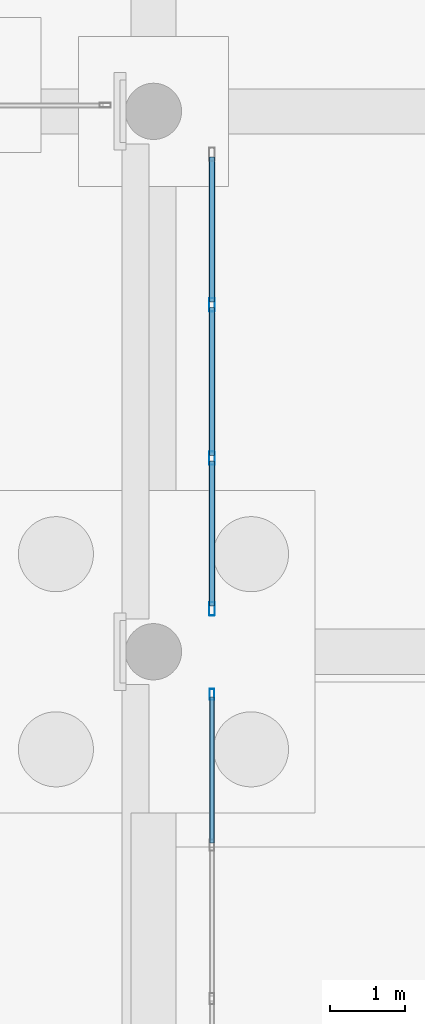
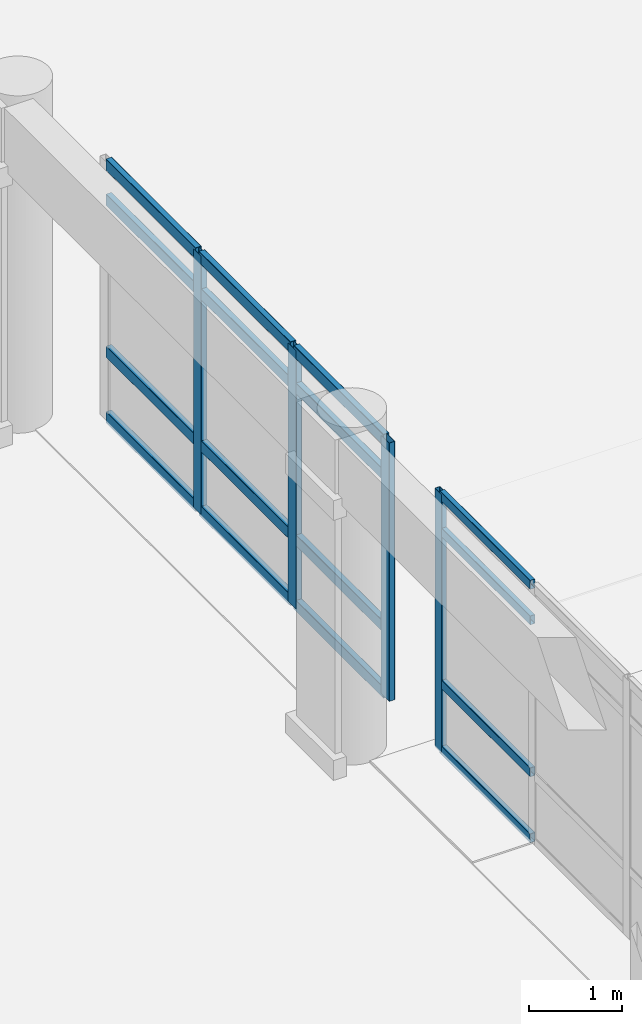
# One storey, part 80 of 196: 20 members, 2 elements without a shape of their own.
"""IFC4 building model written with IfcOpenShell, lengths in metres."""

import ifcopenshell
import ifcopenshell.guid

model = None  # the IFC model being written
_history = None  # IfcOwnerHistory: only IFC2X3 demands one
_inside = {}  # id of a spatial element -> (the spatial element, [elements in it])
_under = {}  # id of a project, library or spatial element -> (it, [spatial elements below it])
_declared = {}  # id of a project -> (the project, [libraries it declares])
_typed = {}  # id of a type object -> (the type object, [elements of that type])
_made_of = {}  # id of a material, layer set ... -> (it, [elements and type objects made of it])


def new_model(schema):
    """Start an empty IFC model of exactly this schema.

    Asked for "IFC4X3", IfcOpenShell would pick the latest addendum, in which some entities
    have other attributes; the version numbers below select the first issue.
    IFC2X3 requires an IfcOwnerHistory on every rooted entity: one is made here for all.
    """
    global model, _history
    if schema == "IFC4X3":
        model = ifcopenshell.file(schema_version=(4, 3, 0, 0))
    else:
        model = ifcopenshell.file(schema=schema)
    _inside.clear()
    _under.clear()
    _declared.clear()
    _typed.clear()
    _made_of.clear()
    _history = None
    if model.schema == "IFC2X3":
        org = make("IfcOrganization", Name="unknown")
        user = make(
            "IfcPersonAndOrganization",
            ThePerson=make("IfcPerson", FamilyName="unknown"),
            TheOrganization=org,
        )
        app = make(
            "IfcApplication",
            ApplicationDeveloper=org,
            Version="unknown",
            ApplicationFullName="unknown",
            ApplicationIdentifier="unknown",
        )
        _history = make(
            "IfcOwnerHistory",
            OwningUser=user,
            OwningApplication=app,
            ChangeAction="ADDED",
            CreationDate=0,
        )
    return model


def make(cls, **values):
    """One entity of the class cls with the attributes given. An attribute that is None is left unset."""
    return model.create_entity(
        cls, **{name: value for name, value in values.items() if value is not None}
    )


def rooted(cls, **values):
    """An entity with a GlobalId (a new one), such as an element, a storey or a relation."""
    return make(cls, GlobalId=ifcopenshell.guid.new(), OwnerHistory=_history, **values)


def si_unit(unit_type, name, prefix=None):
    """IfcSIUnit, for example si_unit("LENGTHUNIT", "METRE", prefix="MILLI")."""
    return make("IfcSIUnit", UnitType=unit_type, Prefix=prefix, Name=name)


def assignment(units):
    """IfcUnitAssignment: the units of a project."""
    return None if units is None else make("IfcUnitAssignment", Units=units)


def point(xyz):
    """IfcCartesianPoint."""
    return None if xyz is None else make("IfcCartesianPoint", Coordinates=xyz)


def direction(xyz):
    """IfcDirection."""
    return None if xyz is None else make("IfcDirection", DirectionRatios=xyz)


def frame(location, z_axis=None, x_axis=None):
    """IfcAxis2Placement3D, a coordinate frame: its origin and axes. An axis left out is left unset."""
    return make(
        "IfcAxis2Placement3D",
        Location=point(location),
        Axis=direction(z_axis),
        RefDirection=direction(x_axis),
    )


def frame_2d(location, x_axis=None):
    """IfcAxis2Placement2D, a coordinate frame in the plane: its origin and x axis."""
    return make(
        "IfcAxis2Placement2D", Location=point(location), RefDirection=direction(x_axis)
    )


def origin():
    """The frame at (0, 0, 0) with its axes left unset."""
    return frame((0.0, 0.0, 0.0))


def origin_2d():
    """The frame at (0, 0) in the plane with its x axis left unset."""
    return frame_2d((0.0, 0.0))


def place(relative_to, where):
    """IfcLocalPlacement: puts the frame where relative to a parent placement (None: the world)."""
    return make(
        "IfcLocalPlacement", PlacementRelTo=relative_to, RelativePlacement=where
    )


def context(
    kind, dimensions, precision=None, world=None, true_north=None, identifier=None
):
    """IfcGeometricRepresentationContext, for example the 3D "Model" context."""
    return make(
        "IfcGeometricRepresentationContext",
        ContextIdentifier=identifier,
        ContextType=kind,
        CoordinateSpaceDimension=dimensions,
        Precision=precision,
        WorldCoordinateSystem=world,
        TrueNorth=true_north,
    )


def subcontext(parent, identifier, kind, view, scale=None):
    """IfcGeometricRepresentationSubContext, for example "Body" below "Model"."""
    return make(
        "IfcGeometricRepresentationSubContext",
        ContextIdentifier=identifier,
        ContextType=kind,
        ParentContext=parent,
        TargetScale=scale,
        TargetView=view,
    )


def project(units=None, contexts=None):
    """IfcProject with its units and contexts."""
    return rooted(
        "IfcProject",
        Name="project",
        RepresentationContexts=contexts,
        UnitsInContext=assignment(units),
    )


def spatial(cls, under=None, at=None, **own):
    """A site, building, storey or space (cls), placed at a placement, below another one or the project."""
    s = rooted(cls, ObjectPlacement=at, **own)
    if under is not None:
        _under.setdefault(under.id(), (under, []))[1].append(s)
    return s


def profile(cls, at=None, kind="AREA", **sizes):
    """A parametric profile (cls). Its sizes go by their IFC names, for example OverallWidth=200.0."""
    return make(cls, ProfileType=kind, Position=at, **sizes)


def hollow_rectangle(**sizes):
    """IfcRectangleHollowProfileDef."""
    return profile("IfcRectangleHollowProfileDef", **sizes)


def extrude(swept, where, along, depth):
    """IfcExtrudedAreaSolid: the profile swept, set in the frame where, extruded along a direction by depth."""
    return make(
        "IfcExtrudedAreaSolid",
        SweptArea=swept,
        Position=where,
        ExtrudedDirection=direction(along),
        Depth=depth,
    )


def shape(context_of_items, identifier, shape_type, items):
    """IfcShapeRepresentation: the items that make up one representation, for example the "Body"."""
    return make(
        "IfcShapeRepresentation",
        ContextOfItems=context_of_items,
        RepresentationIdentifier=identifier,
        RepresentationType=shape_type,
        Items=items,
    )


def material(Name=None, Category=None):
    """IfcMaterial."""
    return make("IfcMaterial", Name=Name, Category=Category)


def layer(
    of_material, thickness, ventilated=None, Name=None, Category=None, Priority=None
):
    """IfcMaterialLayer: one layer of a wall or slab, of a material (None: an air gap)."""
    return make(
        "IfcMaterialLayer",
        Material=of_material,
        LayerThickness=thickness,
        IsVentilated=ventilated,
        Name=Name,
        Category=Category,
        Priority=Priority,
    )


def layer_set(layers, Name=None):
    """IfcMaterialLayerSet."""
    return make("IfcMaterialLayerSet", MaterialLayers=layers, LayerSetName=Name)


def material_profile(
    of_material, cross_section, Name=None, Category=None, Priority=None
):
    """IfcMaterialProfile: a cross section and its material."""
    return make(
        "IfcMaterialProfile",
        Name=Name,
        Material=of_material,
        Profile=cross_section,
        Priority=Priority,
        Category=Category,
    )


def profile_set(profiles, Name=None, composite=None):
    """IfcMaterialProfileSet."""
    return make(
        "IfcMaterialProfileSet",
        Name=Name,
        MaterialProfiles=profiles,
        CompositeProfile=composite,
    )


def made_of(thing, what):
    """Note that an element or type object is made of a material, layer set ...; save() writes the relation."""
    if what is not None:
        _made_of.setdefault(what.id(), (what, []))[1].append(thing)
    return thing


def type_object(cls, material=None, **own):
    """A type object (cls), such as IfcWallType, which elements share."""
    return made_of(rooted(cls, **own), material)


def element(
    cls,
    number,
    at=None,
    inside=None,
    cuts=None,
    type_object=None,
    material=None,
    context=None,
    identifier="Body",
    shape_type=None,
    held_by="IfcProductDefinitionShape",
    body=None,
    shapes=None,
    **own,
):
    """One element of the class cls, such as IfcWall. Its Tag is "e" and its number.

    at: its placement. inside: the storey or other place that contains it. cuts: it is an
    opening in that element (IfcRelVoidsElement). A single representation is given by context,
    identifier, shape_type and body (its items); several are given by shapes. held_by: the class
    of the entity that holds the representations. save() writes the other relations.
    """
    e = rooted(cls, Tag="e%d" % number, ObjectPlacement=at, **own)
    if body is not None:
        shapes = [shape(context, identifier, shape_type, body)]
    if shapes is not None:
        e.Representation = make(held_by, Representations=shapes)
    if inside is not None:
        _inside.setdefault(inside.id(), (inside, []))[1].append(e)
    if cuts is not None:
        rooted(
            "IfcRelVoidsElement", RelatingBuildingElement=cuts, RelatedOpeningElement=e
        )
    if type_object is not None:
        _typed.setdefault(type_object.id(), (type_object, []))[1].append(e)
    return made_of(e, material)


def aggregate(whole, parts):
    """IfcRelAggregates: a whole, such as a stair, and the parts it consists of."""
    return rooted("IfcRelAggregates", RelatingObject=whole, RelatedObjects=parts)


def save(model, path):
    """Write the relations noted so far, then the file.

    IfcRelAggregates (storeys below a building ...), IfcRelContainedInSpatialStructure (elements
    in a storey), IfcRelDefinesByType, IfcRelAssociatesMaterial and IfcRelDeclares: one each for
    every whole, place, type object, material and project.
    """
    for whole, parts in _under.values():
        aggregate(whole, parts)
    for where, things in _inside.values():
        rooted(
            "IfcRelContainedInSpatialStructure",
            RelatedElements=things,
            RelatingStructure=where,
        )
    for kind, things in _typed.values():
        rooted("IfcRelDefinesByType", RelatedObjects=things, RelatingType=kind)
    for what, things in _made_of.values():
        rooted("IfcRelAssociatesMaterial", RelatedObjects=things, RelatingMaterial=what)
    for by, libraries in _declared.values():
        rooted("IfcRelDeclares", RelatingContext=by, RelatedDefinitions=libraries)
    model.write(path)


model = new_model("IFC4")

# Units and contexts
model_context = context("Model", 3, precision=1e-05, world=origin(), true_north=direction((0.0, 1.0)))
body_context = subcontext(model_context, "Body", "Model", "MODEL_VIEW")
ifc_project = project(units=[si_unit("LENGTHUNIT", "METRE"), si_unit("AREAUNIT", "SQUARE_METRE"), si_unit("VOLUMEUNIT", "CUBIC_METRE"), si_unit("PLANEANGLEUNIT", "RADIAN"), si_unit("MASSUNIT", "GRAM", prefix="KILO")], contexts=[model_context])

# Site, building, storey
site_placement = place(None, origin())
site = spatial("IfcSite", under=ifc_project, at=site_placement, CompositionType="ELEMENT")
building_placement = place(site_placement, origin())
building = spatial("IfcBuilding", under=site, at=building_placement, Name="Asteropetra Specialist Clinic", CompositionType="ELEMENT")
storey_placement = place(building_placement, origin())
storey = spatial("IfcBuildingStorey", under=building, at=storey_placement, Name="L00", CompositionType="ELEMENT", Elevation=0.0)

# Curtain wall, member
ifc_material_1 = material(Name="Aluminium and low-E glass", Category="aluminium")
ifc_layer_1 = layer(ifc_material_1, 0.14990234375)
ifc_layer_set_1 = layer_set([ifc_layer_1], Name="Aluminium and low-E glass")
curtain_wall_type_1 = type_object("IfcCurtainWallType", Name="CW-SYS-11", PredefinedType="USERDEFINED", material=ifc_layer_set_1)
curtain_wall_1_placement = place(storey_placement, origin())
curtain_wall_1 = element("IfcCurtainWall", 1, at=curtain_wall_1_placement, inside=storey, type_object=curtain_wall_type_1, Name="Curtain Wall CW-202", ObjectType="STICK GLAZED COLONNADE", PredefinedType="USERDEFINED")
ifc_material_2 = material(Name="Aluminium 6063-T6", Category="aluminium")
ifc_material_profile_1 = material_profile(ifc_material_2, hollow_rectangle(XDim=0.06494140625, YDim=0.14990234375, WallThickness=0.00390625, InnerFilletRadius=0.00390625, OuterFilletRadius=0.008056640625, at=origin_2d()), Name="MUL 150x65x4.0")
ifc_profile_set_1 = profile_set([ifc_material_profile_1], Name="Aluminium 6063-T6")
member_type_1 = type_object("IfcMemberType", Name="CWM-150x65", PredefinedType="MULLION", material=ifc_profile_set_1)
member_1_placement = place(storey_placement, frame((106.3798828125, 40.232421875, 0.0), z_axis=(0.0, 0.0, 1.0), x_axis=(1.0, 0.0, 0.0)))
member_1 = element("IfcMember", 2, at=member_1_placement, type_object=member_type_1, Name="CW-202 mullion 1", PredefinedType="MULLION", context=body_context, shape_type="SweptSolid", body=[
    extrude(hollow_rectangle(XDim=0.06494140625, YDim=0.14990234375, WallThickness=0.00390625, InnerFilletRadius=0.00390625, OuterFilletRadius=0.008056640625, at=origin_2d()), origin(), (0.0, 0.0, 1.0), 3.39990234375),
])

# Curtain wall, members
ifc_material_3 = material(Name="Aluminium and low-E glass", Category="aluminium")
ifc_layer_2 = layer(ifc_material_3, 0.179931640625)
ifc_layer_set_2 = layer_set([ifc_layer_2], Name="Aluminium and low-E glass")
curtain_wall_type_2 = type_object("IfcCurtainWallType", Name="CW-SYS-10", PredefinedType="USERDEFINED", material=ifc_layer_set_2)
curtain_wall_2_placement = place(storey_placement, origin())
curtain_wall_2 = element("IfcCurtainWall", 3, at=curtain_wall_2_placement, inside=storey, type_object=curtain_wall_type_2, Name="Curtain Wall CW-204", ObjectType="STICK GLAZED COLONNADE", PredefinedType="USERDEFINED")
ifc_material_4 = material(Name="Aluminium 6063-T6", Category="aluminium")
ifc_material_profile_2 = material_profile(ifc_material_4, hollow_rectangle(XDim=0.074951171875, YDim=0.179931640625, WallThickness=0.00390625, InnerFilletRadius=0.00390625, OuterFilletRadius=0.008056640625, at=origin_2d()), Name="MUL 180x75x4.0")
ifc_profile_set_2 = profile_set([ifc_material_profile_2], Name="Aluminium 6063-T6")
member_type_2 = type_object("IfcMemberType", Name="CWM-180x75", PredefinedType="MULLION", material=ifc_profile_set_2)
member_2_placement = place(storey_placement, frame((106.3798828125, 45.421630859375, 0.0), z_axis=(0.0, 0.0, 1.0), x_axis=(1.0, 0.0, 0.0)))
member_2 = element("IfcMember", 4, at=member_2_placement, type_object=member_type_2, Name="CW-204 mullion 2", PredefinedType="MULLION", context=body_context, shape_type="SweptSolid", body=[
    extrude(hollow_rectangle(XDim=0.074951171875, YDim=0.179931640625, WallThickness=0.00390625, InnerFilletRadius=0.00390625, OuterFilletRadius=0.008056640625, at=origin_2d()), origin(), (0.0, 0.0, 1.0), 3.39990234375),
])
member_3_placement = place(storey_placement, frame((106.3798828125, 43.37841796875, 0.0), z_axis=(0.0, 0.0, 1.0), x_axis=(1.0, 0.0, 0.0)))
member_3 = element("IfcMember", 5, at=member_3_placement, type_object=member_type_2, Name="CW-204 mullion 3", PredefinedType="MULLION", context=body_context, shape_type="SweptSolid", body=[
    extrude(hollow_rectangle(XDim=0.074951171875, YDim=0.179931640625, WallThickness=0.00390625, InnerFilletRadius=0.00390625, OuterFilletRadius=0.008056640625, at=origin_2d()), origin(), (0.0, 0.0, 1.0), 3.39990234375),
])
member_4_placement = place(storey_placement, frame((106.3798828125, 41.37255859375, 0.0), z_axis=(0.0, 0.0, 1.0), x_axis=(1.0, 0.0, 0.0)))
member_4 = element("IfcMember", 6, at=member_4_placement, type_object=member_type_2, Name="CW-204 mullion 4", PredefinedType="MULLION", context=body_context, shape_type="SweptSolid", body=[
    extrude(hollow_rectangle(XDim=0.074951171875, YDim=0.179931640625, WallThickness=0.00390625, InnerFilletRadius=0.00390625, OuterFilletRadius=0.008056640625, at=origin_2d()), origin(), (0.0, 0.0, 1.0), 3.39990234375),
])

# Member
ifc_material_5 = material(Name="Aluminium 6063-T6", Category="aluminium")
ifc_material_profile_3 = material_profile(ifc_material_5, hollow_rectangle(XDim=0.06494140625, YDim=0.1201171875, WallThickness=0.00390625, InnerFilletRadius=0.00390625, OuterFilletRadius=0.008056640625, at=origin_2d()), Name="TRN 120x65x4.0")
ifc_profile_set_3 = profile_set([ifc_material_profile_3], Name="Aluminium 6063-T6")
member_type_3 = type_object("IfcMemberType", Name="CWT-120x65", PredefinedType="USERDEFINED", material=ifc_profile_set_3)
member_5_placement = place(storey_placement, frame((106.3798828125, 40.199951171875, 0.032470703125), z_axis=(0.0, -1.0, 0.0), x_axis=(1.0, 0.0, 0.0)))
member_5 = element("IfcMember", 7, at=member_5_placement, type_object=member_type_3, Name="CW-202 transom 1.1", ObjectType="TRANSOM", PredefinedType="USERDEFINED", context=body_context, shape_type="SweptSolid", body=[
    extrude(hollow_rectangle(XDim=0.06494140625, YDim=0.1201171875, WallThickness=0.00390625, InnerFilletRadius=0.00390625, OuterFilletRadius=0.008056640625, at=origin_2d()), origin(), (0.0, 0.0, 1.0), 1.94580078125),
])

member_6_placement = place(storey_placement, frame((106.3798828125, 40.199951171875, 0.89990234375), z_axis=(0.0, -1.0, 0.0), x_axis=(1.0, 0.0, 0.0)))
member_6 = element("IfcMember", 8, at=member_6_placement, type_object=member_type_3, Name="CW-202 transom 1.2", ObjectType="TRANSOM", PredefinedType="USERDEFINED", context=body_context, shape_type="SweptSolid", body=[
    extrude(hollow_rectangle(XDim=0.06494140625, YDim=0.1201171875, WallThickness=0.00390625, InnerFilletRadius=0.00390625, OuterFilletRadius=0.008056640625, at=origin_2d()), origin(), (0.0, 0.0, 1.0), 1.94580078125),
])

member_7_placement = place(storey_placement, frame((106.3798828125, 40.199951171875, 2.89990234375), z_axis=(0.0, -1.0, 0.0), x_axis=(1.0, 0.0, 0.0)))
member_7 = element("IfcMember", 9, at=member_7_placement, type_object=member_type_3, Name="CW-202 transom 1.3", ObjectType="TRANSOM", PredefinedType="USERDEFINED", context=body_context, shape_type="SweptSolid", body=[
    extrude(hollow_rectangle(XDim=0.06494140625, YDim=0.1201171875, WallThickness=0.00390625, InnerFilletRadius=0.00390625, OuterFilletRadius=0.008056640625, at=origin_2d()), origin(), (0.0, 0.0, 1.0), 1.94580078125),
])

member_8_placement = place(storey_placement, frame((106.3798828125, 40.199951171875, 3.367431640625), z_axis=(0.0, -1.0, 0.0), x_axis=(1.0, 0.0, 0.0)))
member_8 = element("IfcMember", 10, at=member_8_placement, type_object=member_type_3, Name="CW-202 transom 1.4", ObjectType="TRANSOM", PredefinedType="USERDEFINED", context=body_context, shape_type="SweptSolid", body=[
    extrude(hollow_rectangle(XDim=0.06494140625, YDim=0.1201171875, WallThickness=0.00390625, InnerFilletRadius=0.00390625, OuterFilletRadius=0.008056640625, at=origin_2d()), origin(), (0.0, 0.0, 1.0), 1.94580078125),
])

aggregate(curtain_wall_1, [member_1, member_5, member_6, member_7, member_8])

ifc_material_6 = material(Name="Aluminium 6063-T6", Category="aluminium")
ifc_material_profile_4 = material_profile(ifc_material_6, hollow_rectangle(XDim=0.074951171875, YDim=0.14990234375, WallThickness=0.00390625, InnerFilletRadius=0.00390625, OuterFilletRadius=0.008056640625, at=origin_2d()), Name="TRN 150x75x4.0")
ifc_profile_set_4 = profile_set([ifc_material_profile_4], Name="Aluminium 6063-T6")
member_type_4 = type_object("IfcMemberType", Name="CWT-150x75", PredefinedType="USERDEFINED", material=ifc_profile_set_4)
member_9_placement = place(storey_placement, frame((106.3798828125, 47.389892578125, 0.03759765625), z_axis=(0.0, -1.0, 0.0), x_axis=(1.0, 0.0, 0.0)))
member_9 = element("IfcMember", 11, at=member_9_placement, type_object=member_type_4, Name="CW-204 transom 1.1", ObjectType="TRANSOM", PredefinedType="USERDEFINED", context=body_context, shape_type="SweptSolid", body=[
    extrude(hollow_rectangle(XDim=0.074951171875, YDim=0.14990234375, WallThickness=0.00390625, InnerFilletRadius=0.00390625, OuterFilletRadius=0.008056640625, at=origin_2d()), origin(), (0.0, 0.0, 1.0), 1.9306640625),
])

member_10_placement = place(storey_placement, frame((106.3798828125, 47.389892578125, 0.89990234375), z_axis=(0.0, -1.0, 0.0), x_axis=(1.0, 0.0, 0.0)))
member_10 = element("IfcMember", 12, at=member_10_placement, type_object=member_type_4, Name="CW-204 transom 1.2", ObjectType="TRANSOM", PredefinedType="USERDEFINED", context=body_context, shape_type="SweptSolid", body=[
    extrude(hollow_rectangle(XDim=0.074951171875, YDim=0.14990234375, WallThickness=0.00390625, InnerFilletRadius=0.00390625, OuterFilletRadius=0.008056640625, at=origin_2d()), origin(), (0.0, 0.0, 1.0), 1.9306640625),
])

member_11_placement = place(storey_placement, frame((106.3798828125, 47.389892578125, 2.89990234375), z_axis=(0.0, -1.0, 0.0), x_axis=(1.0, 0.0, 0.0)))
member_11 = element("IfcMember", 13, at=member_11_placement, type_object=member_type_4, Name="CW-204 transom 1.3", ObjectType="TRANSOM", PredefinedType="USERDEFINED", context=body_context, shape_type="SweptSolid", body=[
    extrude(hollow_rectangle(XDim=0.074951171875, YDim=0.14990234375, WallThickness=0.00390625, InnerFilletRadius=0.00390625, OuterFilletRadius=0.008056640625, at=origin_2d()), origin(), (0.0, 0.0, 1.0), 1.9306640625),
])

member_12_placement = place(storey_placement, frame((106.3798828125, 47.389892578125, 3.362548828125), z_axis=(0.0, -1.0, 0.0), x_axis=(1.0, 0.0, 0.0)))
member_12 = element("IfcMember", 14, at=member_12_placement, type_object=member_type_4, Name="CW-204 transom 1.4", ObjectType="TRANSOM", PredefinedType="USERDEFINED", context=body_context, shape_type="SweptSolid", body=[
    extrude(hollow_rectangle(XDim=0.074951171875, YDim=0.14990234375, WallThickness=0.00390625, InnerFilletRadius=0.00390625, OuterFilletRadius=0.008056640625, at=origin_2d()), origin(), (0.0, 0.0, 1.0), 1.9306640625),
])

member_13_placement = place(storey_placement, frame((106.3798828125, 45.38427734375, 0.03759765625), z_axis=(0.0, -1.0, 0.0), x_axis=(1.0, 0.0, 0.0)))
member_13 = element("IfcMember", 15, at=member_13_placement, type_object=member_type_4, Name="CW-204 transom 2.1", ObjectType="TRANSOM", PredefinedType="USERDEFINED", context=body_context, shape_type="SweptSolid", body=[
    extrude(hollow_rectangle(XDim=0.074951171875, YDim=0.14990234375, WallThickness=0.00390625, InnerFilletRadius=0.00390625, OuterFilletRadius=0.008056640625, at=origin_2d()), origin(), (0.0, 0.0, 1.0), 1.968505859375),
])

member_14_placement = place(storey_placement, frame((106.3798828125, 45.38427734375, 0.89990234375), z_axis=(0.0, -1.0, 0.0), x_axis=(1.0, 0.0, 0.0)))
member_14 = element("IfcMember", 16, at=member_14_placement, type_object=member_type_4, Name="CW-204 transom 2.2", ObjectType="TRANSOM", PredefinedType="USERDEFINED", context=body_context, shape_type="SweptSolid", body=[
    extrude(hollow_rectangle(XDim=0.074951171875, YDim=0.14990234375, WallThickness=0.00390625, InnerFilletRadius=0.00390625, OuterFilletRadius=0.008056640625, at=origin_2d()), origin(), (0.0, 0.0, 1.0), 1.968505859375),
])

member_15_placement = place(storey_placement, frame((106.3798828125, 45.38427734375, 2.89990234375), z_axis=(0.0, -1.0, 0.0), x_axis=(1.0, 0.0, 0.0)))
member_15 = element("IfcMember", 17, at=member_15_placement, type_object=member_type_4, Name="CW-204 transom 2.3", ObjectType="TRANSOM", PredefinedType="USERDEFINED", context=body_context, shape_type="SweptSolid", body=[
    extrude(hollow_rectangle(XDim=0.074951171875, YDim=0.14990234375, WallThickness=0.00390625, InnerFilletRadius=0.00390625, OuterFilletRadius=0.008056640625, at=origin_2d()), origin(), (0.0, 0.0, 1.0), 1.968505859375),
])

member_16_placement = place(storey_placement, frame((106.3798828125, 45.38427734375, 3.362548828125), z_axis=(0.0, -1.0, 0.0), x_axis=(1.0, 0.0, 0.0)))
member_16 = element("IfcMember", 18, at=member_16_placement, type_object=member_type_4, Name="CW-204 transom 2.4", ObjectType="TRANSOM", PredefinedType="USERDEFINED", context=body_context, shape_type="SweptSolid", body=[
    extrude(hollow_rectangle(XDim=0.074951171875, YDim=0.14990234375, WallThickness=0.00390625, InnerFilletRadius=0.00390625, OuterFilletRadius=0.008056640625, at=origin_2d()), origin(), (0.0, 0.0, 1.0), 1.968505859375),
])

member_17_placement = place(storey_placement, frame((106.3798828125, 43.3408203125, 0.03759765625), z_axis=(0.0, -1.0, 0.0), x_axis=(1.0, 0.0, 0.0)))
member_17 = element("IfcMember", 19, at=member_17_placement, type_object=member_type_4, Name="CW-204 transom 3.1", ObjectType="TRANSOM", PredefinedType="USERDEFINED", context=body_context, shape_type="SweptSolid", body=[
    extrude(hollow_rectangle(XDim=0.074951171875, YDim=0.14990234375, WallThickness=0.00390625, InnerFilletRadius=0.00390625, OuterFilletRadius=0.008056640625, at=origin_2d()), origin(), (0.0, 0.0, 1.0), 1.930908203125),
])

member_18_placement = place(storey_placement, frame((106.3798828125, 43.3408203125, 0.89990234375), z_axis=(0.0, -1.0, 0.0), x_axis=(1.0, 0.0, 0.0)))
member_18 = element("IfcMember", 20, at=member_18_placement, type_object=member_type_4, Name="CW-204 transom 3.2", ObjectType="TRANSOM", PredefinedType="USERDEFINED", context=body_context, shape_type="SweptSolid", body=[
    extrude(hollow_rectangle(XDim=0.074951171875, YDim=0.14990234375, WallThickness=0.00390625, InnerFilletRadius=0.00390625, OuterFilletRadius=0.008056640625, at=origin_2d()), origin(), (0.0, 0.0, 1.0), 1.930908203125),
])

member_19_placement = place(storey_placement, frame((106.3798828125, 43.3408203125, 2.89990234375), z_axis=(0.0, -1.0, 0.0), x_axis=(1.0, 0.0, 0.0)))
member_19 = element("IfcMember", 21, at=member_19_placement, type_object=member_type_4, Name="CW-204 transom 3.3", ObjectType="TRANSOM", PredefinedType="USERDEFINED", context=body_context, shape_type="SweptSolid", body=[
    extrude(hollow_rectangle(XDim=0.074951171875, YDim=0.14990234375, WallThickness=0.00390625, InnerFilletRadius=0.00390625, OuterFilletRadius=0.008056640625, at=origin_2d()), origin(), (0.0, 0.0, 1.0), 1.930908203125),
])

member_20_placement = place(storey_placement, frame((106.3798828125, 43.3408203125, 3.362548828125), z_axis=(0.0, -1.0, 0.0), x_axis=(1.0, 0.0, 0.0)))
member_20 = element("IfcMember", 22, at=member_20_placement, type_object=member_type_4, Name="CW-204 transom 3.4", ObjectType="TRANSOM", PredefinedType="USERDEFINED", context=body_context, shape_type="SweptSolid", body=[
    extrude(hollow_rectangle(XDim=0.074951171875, YDim=0.14990234375, WallThickness=0.00390625, InnerFilletRadius=0.00390625, OuterFilletRadius=0.008056640625, at=origin_2d()), origin(), (0.0, 0.0, 1.0), 1.930908203125),
])

aggregate(curtain_wall_2, [member_2, member_3, member_4, member_9, member_10, member_11, member_12, member_13, member_14, member_15, member_16, member_17, member_18, member_19, member_20])

save(model, "model.ifc")
